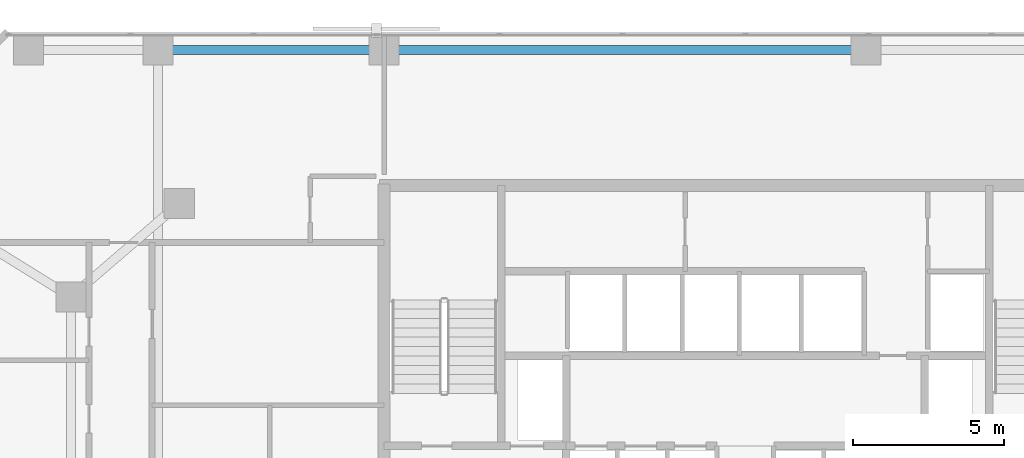
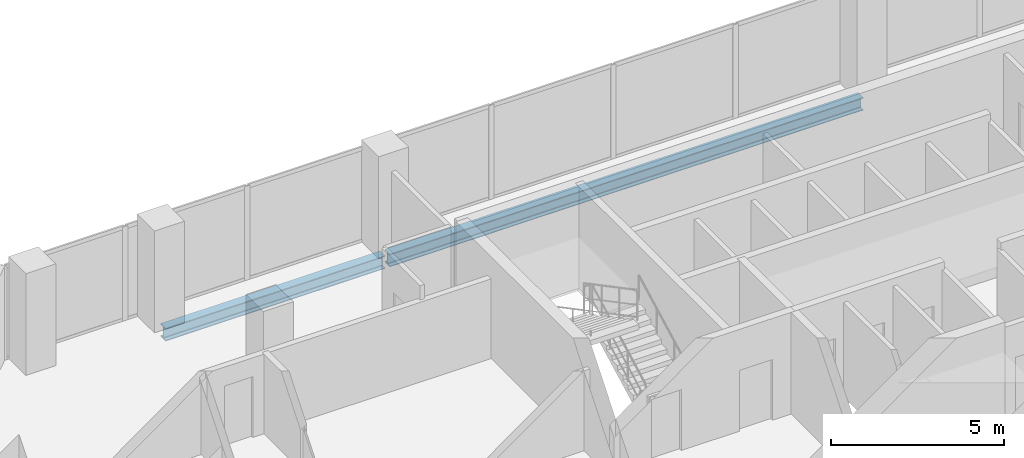
# One storey, part 19 of 31: 2 beams.
"""IFC4 building model written with IfcOpenShell, lengths in metres."""

from ifc_helpers import new_model, si_unit, direction, frame, origin, origin_2d, place, context, subcontext, project, spatial, i_section, extrude, material, material_profile, profile_set, type_object, element, save


model = new_model("IFC4")

# Units and contexts
model_context = context("Model", 3, precision=1e-05, world=origin(), true_north=direction((0.0, 1.0)))
body_context = subcontext(model_context, "Body", "Model", "MODEL_VIEW")
ifc_project = project(units=[si_unit("LENGTHUNIT", "METRE"), si_unit("AREAUNIT", "SQUARE_METRE"), si_unit("VOLUMEUNIT", "CUBIC_METRE"), si_unit("PLANEANGLEUNIT", "RADIAN"), si_unit("MASSUNIT", "GRAM", prefix="KILO")], contexts=[model_context])

# Site, building, storey
site_placement = place(None, origin())
site = spatial("IfcSite", under=ifc_project, at=site_placement, CompositionType="ELEMENT")
building_placement = place(site_placement, origin())
building = spatial("IfcBuilding", under=site, at=building_placement, Name="Catumbela Crestline Tower", CompositionType="ELEMENT")
storey_placement = place(building_placement, frame((0.0, 0.0, 36.6)))
storey = spatial("IfcBuildingStorey", under=building, at=storey_placement, Name="L08", CompositionType="ELEMENT", Elevation=36.6)

# Beams
ifc_material = material(Name="Structural steel S355J2", Category="steel")
ifc_material_profile = material_profile(ifc_material, i_section(OverallWidth=0.3, OverallDepth=0.45, WebThickness=0.014, FlangeThickness=0.026, FilletRadius=0.027, at=origin_2d()), Name="HEB 450")
ifc_profile_set = profile_set([ifc_material_profile], Name="Structural steel S355J2")
beam_type = type_object("IfcBeamType", Name="BS-HEB450", PredefinedType="SPANDREL", material=ifc_profile_set)
beam_1_placement = place(storey_placement, frame((8.58, 47.4, -0.485), z_axis=(1.0, 0.0, 0.0), x_axis=(0.0, 1.0, 0.0)))
element("IfcBeam", 1, at=beam_1_placement, inside=storey, type_object=beam_type, Name="L08 Spandrel SP-L08-NF20", PredefinedType="SPANDREL", context=body_context, shape_type="SweptSolid", body=[
    extrude(i_section(OverallWidth=0.3, OverallDepth=0.45, WebThickness=0.014, FlangeThickness=0.026, FilletRadius=0.027, at=origin_2d()), origin(), (0.0, 0.0, 1.0), 7.34),
])
beam_2_placement = place(storey_placement, frame((16.08, 47.4, -0.485), z_axis=(1.0, 0.0, 0.0), x_axis=(0.0, 1.0, 0.0)))
element("IfcBeam", 2, at=beam_2_placement, inside=storey, type_object=beam_type, Name="L08 Spandrel SP-L08-NF21", PredefinedType="SPANDREL", context=body_context, shape_type="SweptSolid", body=[
    extrude(i_section(OverallWidth=0.3, OverallDepth=0.45, WebThickness=0.014, FlangeThickness=0.026, FilletRadius=0.027, at=origin_2d()), origin(), (0.0, 0.0, 1.0), 15.84),
])

save(model, "model.ifc")
